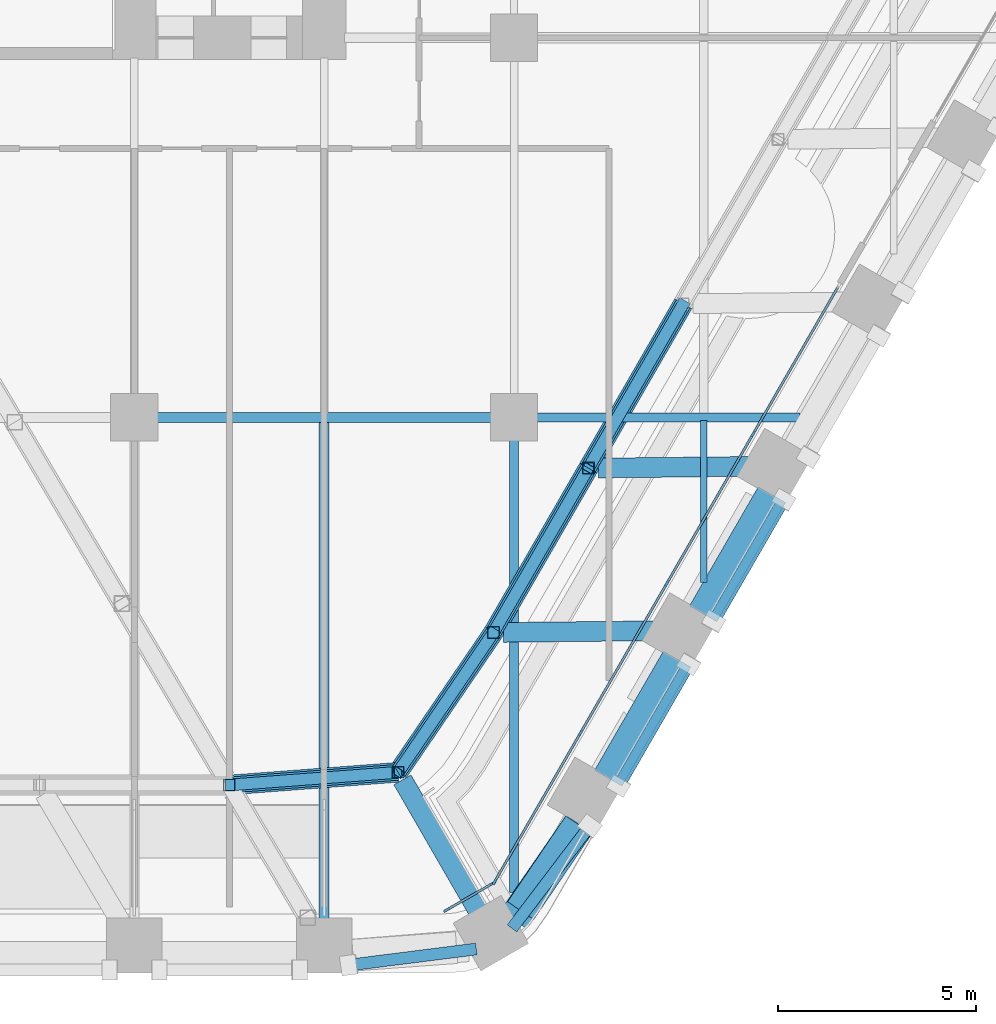
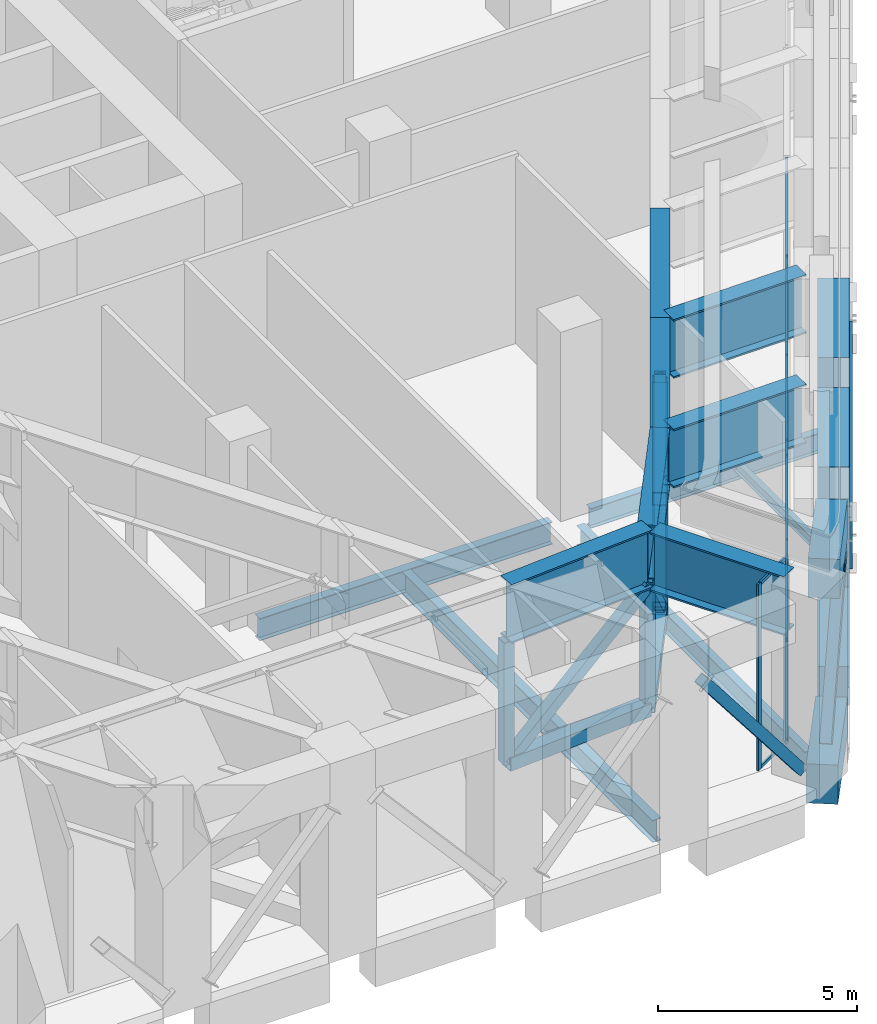
# One storey, part 5 of 35: 32 members, 18 beams, 2 elements without a shape of their own.
"""IFC4 building model written with IfcOpenShell, lengths in metres."""

from ifc_helpers import new_model, si_unit, direction, frame, origin, origin_2d, place, context, subcontext, project, spatial, rectangle, hollow_rectangle, i_section, extrude, material, material_profile, profile_set, type_object, element, aggregate, save


model = new_model("IFC4")

# Units and contexts
model_context = context("Model", 3, precision=1e-05, world=origin(), true_north=direction((0.0, 1.0)))
body_context = subcontext(model_context, "Body", "Model", "MODEL_VIEW")
ifc_project = project(units=[si_unit("LENGTHUNIT", "METRE"), si_unit("AREAUNIT", "SQUARE_METRE"), si_unit("VOLUMEUNIT", "CUBIC_METRE"), si_unit("PLANEANGLEUNIT", "RADIAN"), si_unit("MASSUNIT", "GRAM", prefix="KILO")], contexts=[model_context])

# Site, building, storey
site_placement = place(None, origin())
site = spatial("IfcSite", under=ifc_project, at=site_placement, CompositionType="ELEMENT")
building_placement = place(site_placement, origin())
building = spatial("IfcBuilding", under=site, at=building_placement, Name="Kolab Exchange Tower", CompositionType="ELEMENT")
storey_placement = place(building_placement, frame((0.0, 0.0, 71.89990234375)))
storey = spatial("IfcBuildingStorey", under=building, at=storey_placement, Name="L13", CompositionType="ELEMENT", Elevation=71.89990234375)

# Members
ifc_material_1 = material(Name="Steel S355", Category="steel")
ifc_material_profile_1 = material_profile(ifc_material_1, hollow_rectangle(XDim=0.300048828125, YDim=0.300048828125, WallThickness=0.01611328125, at=origin_2d()), Name="HSS300X300X16")
ifc_profile_set_1 = profile_set([ifc_material_profile_1], Name="Steel S355")
member_type_1 = type_object("IfcMemberType", Name="BELT TRUSS BRACE HSS300X300X16", PredefinedType="BRACE", material=ifc_profile_set_1)
member_1_placement = place(storey_placement, frame((23.48046875, -16.32763671875, 0.25), z_axis=(-0.394029831617, -0.682447964901, 0.615634036582), x_axis=(0.866015339567, -0.500017431331, 0.0)))
element("IfcMember", 1, at=member_1_placement, inside=storey, type_object=member_type_1, Name="mem/L13/ring/d-F3-05", PredefinedType="BRACE", context=body_context, shape_type="SweptSolid", body=[
    extrude(hollow_rectangle(XDim=0.300048828125, YDim=0.300048828125, WallThickness=0.01611328125, at=origin_2d()), origin(), (0.0, 0.0, 1.0), 6.09130859375),
])
member_2_placement = place(storey_placement, frame((21.080322265625, -20.484619140625, 4.0), z_axis=(-0.393995973328, -0.682458742407, -0.615643758934), x_axis=(0.866037363387, -0.499979284789, 0.0)))
element("IfcMember", 2, at=member_2_placement, inside=storey, type_object=member_type_1, Name="mem/L13/ring/d-F3-06", PredefinedType="BRACE", context=body_context, shape_type="SweptSolid", body=[
    extrude(hollow_rectangle(XDim=0.300048828125, YDim=0.300048828125, WallThickness=0.01611328125, at=origin_2d()), origin(), (0.0, 0.0, 1.0), 6.091064453125),
])
for number, where, z_axis, x_axis, name in (
    (3, (18.680419921875, -24.6416015625, 0.25), (-0.423966788791, -0.621277379932, 0.658989058473), (0.825999194724, -0.563671296338, 0.0), "mem/L13/ring/d-F3-07"),
    (4, (16.267822265625, -28.177001953125, 4.0), (-0.750009259501, -0.056504902166, -0.659009337334), (0.075126035074, -0.99717404642, 0.0), "mem/L13/ring/d-F4-01"),
):
    element("IfcMember", number, at=place(storey_placement, frame(where, z_axis=z_axis, x_axis=x_axis)), inside=storey, type_object=member_type_1, Name=name, PredefinedType="BRACE", context=body_context, shape_type="SweptSolid", body=[
        extrude(hollow_rectangle(XDim=0.300048828125, YDim=0.300048828125, WallThickness=0.01611328125, at=origin_2d()), origin(), (0.0, 0.0, 1.0), 5.6904296875),
    ])
for number, where, z_axis, x_axis, name in (
    (5, (26.017578125, -21.295654296875, 4.4501953125), (-0.328679977978, -0.569227384114, -0.753624347571), (0.866001427184, -0.500041526391, 0.0), "mem/L13/fb/F3-06"),
    (6, (23.617431640625, -25.45263671875, 0.400146484375), (-0.328639455646, -0.569235883224, 0.753635599904), (0.866031355668, -0.499989690894, 0.0), "mem/L13/fb/F3-07"),
):
    element("IfcMember", number, at=place(storey_placement, frame(where, z_axis=z_axis, x_axis=x_axis)), inside=storey, type_object=member_type_1, Name=name, PredefinedType="BRACE", context=body_context, shape_type="SweptSolid", body=[
        extrude(hollow_rectangle(XDim=0.300048828125, YDim=0.300048828125, WallThickness=0.01611328125, at=origin_2d()), origin(), (0.0, 0.0, 1.0), 5.3740234375),
    ])
for number, where, z_axis, x_axis, name in (
    (7, (21.110107421875, -29.5419921875, 4.4501953125), (-0.369353435325, -0.486393319457, -0.791833049703), (0.7964030968, -0.604766159278, 0.0), "mem/L13/fb/F3-08"),
    (8, (18.128173828125, -32.66064453125, 0.400146484375), (-0.605882230288, -0.076660116745, 0.791852227074), (0.125525655119, -0.992090373861, 0.0), "mem/L13/fb/F4-01"),
):
    element("IfcMember", number, at=place(storey_placement, frame(where, z_axis=z_axis, x_axis=x_axis)), inside=storey, type_object=member_type_1, Name=name, PredefinedType="BRACE", context=body_context, shape_type="SweptSolid", body=[
        extrude(hollow_rectangle(XDim=0.300048828125, YDim=0.300048828125, WallThickness=0.01611328125, at=origin_2d()), origin(), (0.0, 0.0, 1.0), 5.11474609375),
    ])
ifc_material_profile_2 = material_profile(ifc_material_1, hollow_rectangle(XDim=0.39990234375, YDim=0.39990234375, WallThickness=0.02001953125, at=origin_2d()), Name="HSS400X400X20")
ifc_profile_set_2 = profile_set([ifc_material_profile_2], Name="Steel S355")
member_type_2 = type_object("IfcMemberType", Name="BELT TRUSS CHORD HSS400X400X20", PredefinedType="CHORD", material=ifc_profile_set_2)
for number, where, z_axis, x_axis, name in (
    (9, (23.48046875, -16.32763671875, 0.25), (-0.500017431331, -0.866015339567, 0.0), (0.866015339567, -0.500017431331, 0.0), "mem/L13/ring/c-F3-05"),
    (10, (21.080322265625, -20.484619140625, 0.25), (-0.499979284789, -0.866037363387, 0.0), (0.866037363387, -0.499979284789, 0.0), "mem/L13/ring/c-F3-06"),
):
    element("IfcMember", number, at=place(storey_placement, frame(where, z_axis=z_axis, x_axis=x_axis)), inside=storey, type_object=member_type_2, Name=name, PredefinedType="CHORD", context=body_context, shape_type="SweptSolid", body=[
        extrude(hollow_rectangle(XDim=0.39990234375, YDim=0.39990234375, WallThickness=0.02001953125, at=origin_2d()), origin(), (0.0, 0.0, 1.0), 4.800048828125),
    ])
for number, where, z_axis, x_axis, name in (
    (11, (18.680419921875, -24.6416015625, 0.25), (-0.563671296338, -0.825999194724, 0.0), (0.825999194724, -0.563671296338, 0.0), "mem/L13/ring/c-F3-07"),
    (12, (16.267822265625, -28.177001953125, 0.25), (-0.99717404642, -0.075126035074, 0.0), (0.075126035074, -0.99717404642, 0.0), "mem/L13/ring/c-F4-01"),
):
    element("IfcMember", number, at=place(storey_placement, frame(where, z_axis=z_axis, x_axis=x_axis)), inside=storey, type_object=member_type_2, Name=name, PredefinedType="CHORD", context=body_context, shape_type="SweptSolid", body=[
        extrude(hollow_rectangle(XDim=0.39990234375, YDim=0.39990234375, WallThickness=0.02001953125, at=origin_2d()), origin(), (0.0, 0.0, 1.0), 4.280029296875),
    ])

# Beams
ifc_material_profile_3 = material_profile(ifc_material_1, i_section(OverallWidth=0.5, OverallDepth=1.800048828125, WebThickness=0.031982421875, FlangeThickness=0.050048828125, at=origin_2d()), Name="PG1800X500")
ifc_profile_set_3 = profile_set([ifc_material_profile_3], Name="Steel S355")
beam_type_1 = type_object("IfcBeamType", Name="BELT TRUSS GIRDER PG1800X500", PredefinedType="BEAM", material=ifc_profile_set_3)
for number, where, z_axis, x_axis, name in (
    (13, (23.48046875, -16.32763671875, 4.900146484375), (-0.500017431331, -0.866015339567, 0.0), (0.866015339567, -0.500017431331, 0.0), "beam/L13/bg/F3-run3"),
    (14, (21.080322265625, -20.484619140625, 4.900146484375), (-0.499979284789, -0.866037363387, 0.0), (0.866037363387, -0.499979284789, 0.0), "beam/L13/bg/F3-run4"),
):
    element("IfcBeam", number, at=place(storey_placement, frame(where, z_axis=z_axis, x_axis=x_axis)), inside=storey, type_object=beam_type_1, Name=name, PredefinedType="BEAM", context=body_context, shape_type="SweptSolid", body=[
        extrude(i_section(OverallWidth=0.5, OverallDepth=1.800048828125, WebThickness=0.031982421875, FlangeThickness=0.050048828125, at=origin_2d()), origin(), (0.0, 0.0, 1.0), 4.800048828125),
    ])
for number, where, z_axis, x_axis, name in (
    (15, (18.680419921875, -24.6416015625, 4.900146484375), (-0.563671296338, -0.825999194724, 0.0), (0.825999194724, -0.563671296338, 0.0), "beam/L13/bg/F3-out"),
    (16, (16.267822265625, -28.177001953125, 4.900146484375), (-0.99717404642, -0.075126035074, 0.0), (0.075126035074, -0.99717404642, 0.0), "beam/L13/bg/F4-in"),
):
    element("IfcBeam", number, at=place(storey_placement, frame(where, z_axis=z_axis, x_axis=x_axis)), inside=storey, type_object=beam_type_1, Name=name, PredefinedType="BEAM", context=body_context, shape_type="SweptSolid", body=[
        extrude(i_section(OverallWidth=0.5, OverallDepth=1.800048828125, WebThickness=0.031982421875, FlangeThickness=0.050048828125, at=origin_2d()), origin(), (0.0, 0.0, 1.0), 4.280029296875),
    ])

# Members
ifc_material_profile_4 = material_profile(ifc_material_1, hollow_rectangle(XDim=0.300048828125, YDim=0.300048828125, WallThickness=0.01611328125, at=origin_2d()), Name="HSS300X300X16")
ifc_profile_set_4 = profile_set([ifc_material_profile_4], Name="Steel S355")
member_type_3 = type_object("IfcMemberType", Name="BELT TRUSS POST HSS300X300X16", PredefinedType="POST", material=ifc_profile_set_4)
for number, where, z_axis, x_axis, name in (
    (17, (21.080322265625, -20.484619140625, 0.25), (0.0, 0.0, 1.0), (1.0, 0.0, 0.0), "mem/L13/ring/p-F3-06"),
    (18, (18.680419921875, -24.6416015625, 0.25), (0.0, 0.0, 1.0), (1.0, 0.0, 0.0), "mem/L13/ring/p-F3-07"),
    (19, (16.267822265625, -28.177001953125, 0.25), (0.0, 0.0, 1.0), (1.0, 0.0, 0.0), "mem/L13/ring/p-F4-01"),
    (20, (12.0, -28.49853515625, 0.25), (0.0, 0.0, 1.0), (1.0, 0.0, 0.0), "mem/L13/ring/p-F4-02"),
):
    element("IfcMember", number, at=place(storey_placement, frame(where, z_axis=z_axis, x_axis=x_axis)), inside=storey, type_object=member_type_3, Name=name, PredefinedType="POST", context=body_context, shape_type="SweptSolid", body=[
        extrude(hollow_rectangle(XDim=0.300048828125, YDim=0.300048828125, WallThickness=0.01611328125, at=origin_2d()), origin(), (0.0, 0.0, 1.0), 3.75),
    ])

# Beams
ifc_material_profile_5 = material_profile(ifc_material_1, i_section(OverallWidth=0.1650390625, OverallDepth=0.31005859375, WebThickness=0.005859375, FlangeThickness=0.009765625, at=origin_2d()), Name="W310X39")
ifc_profile_set_5 = profile_set([ifc_material_profile_5], Name="Steel S355")
beam_type_2 = type_object("IfcBeamType", Name="FLOOR BEAM W310X39", PredefinedType="BEAM", material=ifc_profile_set_5)
beam_1_placement = place(storey_placement, frame((24.0, -23.381591796875, -0.454833984375), z_axis=(0.0, 1.0, 0.0), x_axis=(-1.0, 0.0, 0.0)))
element("IfcBeam", 21, at=beam_1_placement, inside=storey, type_object=beam_type_2, Name="beam/L13/fr/052", PredefinedType="BEAM", context=body_context, shape_type="SweptSolid", body=[
    extrude(i_section(OverallWidth=0.1650390625, OverallDepth=0.31005859375, WebThickness=0.005859375, FlangeThickness=0.009765625, at=origin_2d()), origin(), (0.0, 0.0, 1.0), 4.107666015625),
])
ifc_material_profile_6 = material_profile(ifc_material_1, i_section(OverallWidth=0.22802734375, OverallDepth=0.60791015625, WebThickness=0.01123046875, FlangeThickness=0.017333984375, at=origin_2d()), Name="W610X113")
ifc_profile_set_6 = profile_set([ifc_material_profile_6], Name="Steel S355")
beam_type_3 = type_object("IfcBeamType", Name="FLOOR BEAM W610X113", PredefinedType="BEAM", material=ifc_profile_set_6)
beam_2_placement = place(storey_placement, frame((19.199951171875, -31.214599609375, -0.60400390625), z_axis=(0.0, 1.0, 0.0), x_axis=(-1.0, 0.0, 0.0)))
element("IfcBeam", 22, at=beam_2_placement, inside=storey, type_object=beam_type_3, Name="beam/L13/fr/046", PredefinedType="BEAM", context=body_context, shape_type="SweptSolid", body=[
    extrude(i_section(OverallWidth=0.22802734375, OverallDepth=0.60791015625, WebThickness=0.01123046875, FlangeThickness=0.017333984375, at=origin_2d()), origin(), (0.0, 0.0, 1.0), 11.45458984375),
])
ifc_material_profile_7 = material_profile(ifc_material_1, i_section(OverallWidth=0.25390625, OverallDepth=0.68408203125, WebThickness=0.012451171875, FlangeThickness=0.018798828125, at=origin_2d()), Name="W690X140")
ifc_profile_set_7 = profile_set([ifc_material_profile_7], Name="Steel S355")
beam_type_4 = type_object("IfcBeamType", Name="FLOOR BEAM W690X140", PredefinedType="BEAM", material=ifc_profile_set_7)
beam_3_placement = place(storey_placement, frame((14.39990234375, -31.8955078125, -0.641845703125), z_axis=(0.0, 1.0, 0.0), x_axis=(-1.0, 0.0, 0.0)))
element("IfcBeam", 23, at=beam_3_placement, inside=storey, type_object=beam_type_4, Name="beam/L13/fr/042", PredefinedType="BEAM", context=body_context, shape_type="SweptSolid", body=[
    extrude(i_section(OverallWidth=0.25390625, OverallDepth=0.68408203125, WebThickness=0.012451171875, FlangeThickness=0.018798828125, at=origin_2d()), origin(), (0.0, 0.0, 1.0), 12.6083984375),
])
ifc_material_profile_8 = material_profile(ifc_material_1, i_section(OverallWidth=0.22802734375, OverallDepth=0.60791015625, WebThickness=0.01123046875, FlangeThickness=0.017333984375, at=origin_2d()), Name="W610X113")
ifc_profile_set_8 = profile_set([ifc_material_profile_8], Name="Steel S355")
beam_type_5 = type_object("IfcBeamType", Name="FLOOR GIRDER W610X113", PredefinedType="BEAM", material=ifc_profile_set_8)
beam_4_placement = place(storey_placement, frame((19.760009765625, -19.199951171875, -0.60400390625), z_axis=(1.0, 0.0, 0.0), x_axis=(0.0, 1.0, 0.0)))
element("IfcBeam", 24, at=beam_4_placement, inside=storey, type_object=beam_type_5, Name="beam/L13/gd/020", PredefinedType="BEAM", context=body_context, shape_type="SweptSolid", body=[
    extrude(i_section(OverallWidth=0.22802734375, OverallDepth=0.60791015625, WebThickness=0.01123046875, FlangeThickness=0.017333984375, at=origin_2d()), origin(), (0.0, 0.0, 1.0), 6.671142578125),
])
ifc_material_profile_9 = material_profile(ifc_material_1, i_section(OverallWidth=0.25390625, OverallDepth=0.68408203125, WebThickness=0.012451171875, FlangeThickness=0.018798828125, at=origin_2d()), Name="W690X140")
ifc_profile_set_9 = profile_set([ifc_material_profile_9], Name="Steel S355")
beam_type_6 = type_object("IfcBeamType", Name="FLOOR GIRDER W690X140", PredefinedType="BEAM", material=ifc_profile_set_9)
beam_5_placement = place(storey_placement, frame((10.159912109375, -19.199951171875, -0.641845703125), z_axis=(1.0, 0.0, 0.0), x_axis=(0.0, 1.0, 0.0)))
element("IfcBeam", 25, at=beam_5_placement, inside=storey, type_object=beam_type_6, Name="beam/L13/gd/015", PredefinedType="BEAM", context=body_context, shape_type="SweptSolid", body=[
    extrude(i_section(OverallWidth=0.25390625, OverallDepth=0.68408203125, WebThickness=0.012451171875, FlangeThickness=0.018798828125, at=origin_2d()), origin(), (0.0, 0.0, 1.0), 8.47998046875),
])
ifc_material_2 = material(Name="Concrete C80/95", Category="concrete")
ifc_material_profile_10 = material_profile(ifc_material_2, rectangle(XDim=0.800048828125, YDim=1.199951171875, at=origin_2d()), Name="RC800X1200")
ifc_profile_set_10 = profile_set([ifc_material_profile_10], Name="Concrete C80/95")
beam_type_7 = type_object("IfcBeamType", Name="SPANDREL BEAM 800X1200 C80/95", PredefinedType="BEAM", material=ifc_profile_set_10)
beam_6_placement = place(storey_placement, frame((25.7236328125, -21.15625, -0.89990234375), z_axis=(-0.500009906705, -0.86601968407, 0.0), x_axis=(0.86601968407, -0.500009906705, 0.0)))
element("IfcBeam", 26, at=beam_6_placement, inside=storey, type_object=beam_type_7, Name="beam/L13/sp/F3-06", PredefinedType="BEAM", context=body_context, shape_type="SweptSolid", body=[
    extrude(rectangle(XDim=0.800048828125, YDim=1.199951171875, at=origin_2d()), origin(), (0.0, 0.0, 1.0), 3.47998046875),
])
beam_7_placement = place(storey_placement, frame((23.323486328125, -25.31298828125, -0.89990234375), z_axis=(-0.499979528911, -0.866037222451, 0.0), x_axis=(0.866037222451, -0.499979528911, 0.0)))
element("IfcBeam", 27, at=beam_7_placement, inside=storey, type_object=beam_type_7, Name="beam/L13/sp/F3-07", PredefinedType="BEAM", context=body_context, shape_type="SweptSolid", body=[
    extrude(rectangle(XDim=0.800048828125, YDim=1.199951171875, at=origin_2d()), origin(), (0.0, 0.0, 1.0), 3.480224609375),
])
beam_8_placement = place(storey_placement, frame((20.8779296875, -29.44384765625, -0.89990234375), z_axis=(-0.567247290755, -0.823547516013, 0.0), x_axis=(0.823547516013, -0.567247290755, 0.0)))
element("IfcBeam", 28, at=beam_8_placement, inside=storey, type_object=beam_type_7, Name="beam/L13/sp/F3-08", PredefinedType="BEAM", context=body_context, shape_type="SweptSolid", body=[
    extrude(rectangle(XDim=0.800048828125, YDim=1.199951171875, at=origin_2d()), origin(), (0.0, 0.0, 1.0), 2.984375),
])
beam_9_placement = place(storey_placement, frame((25.7236328125, -21.15625, 5.2001953125), z_axis=(-0.500009906705, -0.86601968407, 0.0), x_axis=(0.86601968407, -0.500009906705, 0.0)))
element("IfcBeam", 29, at=beam_9_placement, inside=storey, type_object=beam_type_7, Name="beam/L13/cp/F3-06", PredefinedType="BEAM", context=body_context, shape_type="SweptSolid", body=[
    extrude(rectangle(XDim=0.800048828125, YDim=1.199951171875, at=origin_2d()), origin(), (0.0, 0.0, 1.0), 3.47998046875),
])
beam_10_placement = place(storey_placement, frame((23.323486328125, -25.31298828125, 5.2001953125), z_axis=(-0.499979528911, -0.866037222451, 0.0), x_axis=(0.866037222451, -0.499979528911, 0.0)))
element("IfcBeam", 30, at=beam_10_placement, inside=storey, type_object=beam_type_7, Name="beam/L13/cp/F3-07", PredefinedType="BEAM", context=body_context, shape_type="SweptSolid", body=[
    extrude(rectangle(XDim=0.800048828125, YDim=1.199951171875, at=origin_2d()), origin(), (0.0, 0.0, 1.0), 3.480224609375),
])
beam_11_placement = place(storey_placement, frame((20.843505859375, -29.503662109375, 5.2001953125), z_axis=(-0.561762947401, -0.827298247869, 0.0), x_axis=(0.827298247869, -0.561762947401, 0.0)))
element("IfcBeam", 31, at=beam_11_placement, inside=storey, type_object=beam_type_7, Name="beam/L13/cp/F3-08", PredefinedType="BEAM", context=body_context, shape_type="SweptSolid", body=[
    extrude(rectangle(XDim=0.800048828125, YDim=1.199951171875, at=origin_2d()), origin(), (0.0, 0.0, 1.0), 2.625),
])
ifc_material_profile_11 = material_profile(ifc_material_1, i_section(OverallWidth=0.5, OverallDepth=1.800048828125, WebThickness=0.031982421875, FlangeThickness=0.050048828125, at=origin_2d()), Name="PG1800X500")
ifc_profile_set_11 = profile_set([ifc_material_profile_11], Name="Steel S355")
beam_type_8 = type_object("IfcBeamType", Name="TRANSFER GIRDER PG1800X500", PredefinedType="BEAM", material=ifc_profile_set_11)
beam_12_placement = place(storey_placement, frame((21.330322265625, -20.48193359375, 4.900146484375), z_axis=(0.99994394464, 0.010588086644, 0.0), x_axis=(-0.010588086644, 0.99994394464, 0.0)))
element("IfcBeam", 32, at=beam_12_placement, inside=storey, type_object=beam_type_8, Name="beam/L13/tg/F3-06", PredefinedType="BEAM", context=body_context, shape_type="SweptSolid", body=[
    extrude(i_section(OverallWidth=0.5, OverallDepth=1.800048828125, WebThickness=0.031982421875, FlangeThickness=0.050048828125, at=origin_2d()), origin(), (0.0, 0.0, 1.0), 3.873779296875),
])
beam_13_placement = place(storey_placement, frame((18.930419921875, -24.638916015625, 4.900146484375), z_axis=(0.999943937573, 0.010588753956, 0.0), x_axis=(-0.010588753956, 0.999943937573, 0.0)))
element("IfcBeam", 33, at=beam_13_placement, inside=storey, type_object=beam_type_8, Name="beam/L13/tg/F3-07", PredefinedType="BEAM", context=body_context, shape_type="SweptSolid", body=[
    extrude(i_section(OverallWidth=0.5, OverallDepth=1.800048828125, WebThickness=0.031982421875, FlangeThickness=0.050048828125, at=origin_2d()), origin(), (0.0, 0.0, 1.0), 3.87353515625),
])
beam_14_placement = place(storey_placement, frame((16.3779296875, -28.367431640625, 4.900146484375), z_axis=(0.500006760876, -0.866021500355, 0.0), x_axis=(0.866021500355, 0.500006760876, 0.0)))
element("IfcBeam", 34, at=beam_14_placement, inside=storey, type_object=beam_type_8, Name="beam/L13/tg/F4-01", PredefinedType="BEAM", context=body_context, shape_type="SweptSolid", body=[
    extrude(i_section(OverallWidth=0.5, OverallDepth=1.800048828125, WebThickness=0.031982421875, FlangeThickness=0.050048828125, at=origin_2d()), origin(), (0.0, 0.0, 1.0), 3.89013671875),
])

# Curtain wall, members
ifc_material_3 = material(Name="Aluminium EN AW-6063 T6", Category="aluminium")
curtain_wall_type = type_object("IfcCurtainWallType", Name="UNITISED LOW ZONE BELT CURTAIN WALL", PredefinedType="NOTDEFINED", material=ifc_material_3)
curtain_wall_1_placement = place(storey_placement, origin())
curtain_wall_1 = element("IfcCurtainWall", 35, at=curtain_wall_1_placement, inside=storey, type_object=curtain_wall_type, Name="cw/L13/F3-2", PredefinedType="NOTDEFINED")
ifc_material_profile_12 = material_profile(ifc_material_3, rectangle(XDim=0.06005859375, YDim=0.159912109375, at=origin_2d()), Name="RECT 60X160")
ifc_profile_set_12 = profile_set([ifc_material_profile_12], Name="Aluminium EN AW-6063 T6")
member_type_4 = type_object("IfcMemberType", Name="UNITISED LOW ZONE BELT MULLION 60 X 160", PredefinedType="MULLION", material=ifc_profile_set_12)
member_3_placement = place(storey_placement, frame((25.248291015625, -19.61962890625, 0.0), z_axis=(0.0, 0.0, 1.0), x_axis=(0.866025397318, -0.5000000112, 0.0)))
member_3 = element("IfcMember", 36, at=member_3_placement, type_object=member_type_4, Name="CW9 mullion 2", PredefinedType="MULLION", context=body_context, shape_type="SweptSolid", body=[
    extrude(rectangle(XDim=0.06005859375, YDim=0.159912109375, at=origin_2d()), origin(), (0.0, 0.0, 1.0), 5.7001953125),
])
member_4_placement = place(storey_placement, frame((23.064697265625, -23.401611328125, 0.0), z_axis=(0.0, 0.0, 1.0), x_axis=(0.866025397318, -0.5000000112, 0.0)))
member_4 = element("IfcMember", 37, at=member_4_placement, type_object=member_type_4, Name="CW9 mullion 3", PredefinedType="MULLION", context=body_context, shape_type="SweptSolid", body=[
    extrude(rectangle(XDim=0.06005859375, YDim=0.159912109375, at=origin_2d()), origin(), (0.0, 0.0, 1.0), 5.7001953125),
])
member_5_placement = place(storey_placement, frame((20.881103515625, -27.183349609375, 0.0), z_axis=(0.0, 0.0, 1.0), x_axis=(0.866025397318, -0.5000000112, 0.0)))
member_5 = element("IfcMember", 38, at=member_5_placement, type_object=member_type_4, Name="CW9 mullion 4", PredefinedType="MULLION", context=body_context, shape_type="SweptSolid", body=[
    extrude(rectangle(XDim=0.06005859375, YDim=0.159912109375, at=origin_2d()), origin(), (0.0, 0.0, 1.0), 5.7001953125),
])
member_6_placement = place(storey_placement, frame((18.712646484375, -30.939453125, 0.0), z_axis=(0.0, 0.0, 1.0), x_axis=(0.866025397318, -0.5000000112, 0.0)))
member_6 = element("IfcMember", 39, at=member_6_placement, type_object=member_type_4, Name="CW9 mullion 5", PredefinedType="MULLION", context=body_context, shape_type="SweptSolid", body=[
    extrude(rectangle(XDim=0.06005859375, YDim=0.159912109375, at=origin_2d()), origin(), (0.0, 0.0, 1.0), 5.7001953125),
])

curtain_wall_2_placement = place(storey_placement, origin())
curtain_wall_2 = element("IfcCurtainWall", 40, at=curtain_wall_2_placement, inside=storey, type_object=curtain_wall_type, Name="cw/L13/F3F4-corner", PredefinedType="NOTDEFINED")
member_7_placement = place(storey_placement, frame((18.671630859375, -30.98046875, 0.0), z_axis=(0.0, 0.0, 1.0), x_axis=(0.50000002237, -0.866025390869, 0.0)))
member_7 = element("IfcMember", 41, at=member_7_placement, type_object=member_type_4, Name="CW9 mullion 1", PredefinedType="MULLION", context=body_context, shape_type="SweptSolid", body=[
    extrude(rectangle(XDim=0.06005859375, YDim=0.159912109375, at=origin_2d()), origin(), (0.0, 0.0, 1.0), 5.7001953125),
])
member_8_placement = place(storey_placement, frame((17.493896484375, -31.660400390625, 0.0), z_axis=(0.0, 0.0, 1.0), x_axis=(0.50000002237, -0.866025390869, 0.0)))
member_8 = element("IfcMember", 42, at=member_8_placement, type_object=member_type_4, Name="CW9 mullion 2", PredefinedType="MULLION", context=body_context, shape_type="SweptSolid", body=[
    extrude(rectangle(XDim=0.06005859375, YDim=0.159912109375, at=origin_2d()), origin(), (0.0, 0.0, 1.0), 5.7001953125),
])

# Member
ifc_material_profile_13 = material_profile(ifc_material_3, rectangle(XDim=0.06005859375, YDim=0.10009765625, at=origin_2d()), Name="RECT 60X100")
ifc_profile_set_13 = profile_set([ifc_material_profile_13], Name="Aluminium EN AW-6063 T6")
member_type_5 = type_object("IfcMemberType", Name="UNITISED LOW ZONE BELT TRANSOM 60 X 100", PredefinedType="USERDEFINED", material=ifc_profile_set_13)
member_9_placement = place(storey_placement, frame((27.401611328125, -15.8896484375, 0.030029296875), z_axis=(-0.499976099074, -0.866039202551, 0.0), x_axis=(0.866039202551, -0.499976099074, 0.0)))
member_9 = element("IfcMember", 43, at=member_9_placement, type_object=member_type_5, Name="CW9 transom 1.1", ObjectType="TRANSOM", PredefinedType="USERDEFINED", context=body_context, shape_type="SweptSolid", body=[
    extrude(rectangle(XDim=0.06005859375, YDim=0.10009765625, at=origin_2d()), origin(), (0.0, 0.0, 1.0), 4.277099609375),
])

member_10_placement = place(storey_placement, frame((27.401611328125, -15.8896484375, 5.670166015625), z_axis=(-0.499976099074, -0.866039202551, 0.0), x_axis=(0.866039202551, -0.499976099074, 0.0)))
member_10 = element("IfcMember", 44, at=member_10_placement, type_object=member_type_5, Name="CW9 transom 1.2", ObjectType="TRANSOM", PredefinedType="USERDEFINED", context=body_context, shape_type="SweptSolid", body=[
    extrude(rectangle(XDim=0.06005859375, YDim=0.10009765625, at=origin_2d()), origin(), (0.0, 0.0, 1.0), 4.277099609375),
])

member_11_placement = place(storey_placement, frame((25.233154296875, -19.6455078125, 0.030029296875), z_axis=(-0.500010313095, -0.866019449435, 0.0), x_axis=(0.866019449435, -0.500010313095, 0.0)))
member_11 = element("IfcMember", 45, at=member_11_placement, type_object=member_type_5, Name="CW9 transom 2.1", ObjectType="TRANSOM", PredefinedType="USERDEFINED", context=body_context, shape_type="SweptSolid", body=[
    extrude(rectangle(XDim=0.06005859375, YDim=0.10009765625, at=origin_2d()), origin(), (0.0, 0.0, 1.0), 4.30712890625),
])

member_12_placement = place(storey_placement, frame((25.233154296875, -19.6455078125, 5.670166015625), z_axis=(-0.500010313095, -0.866019449435, 0.0), x_axis=(0.866019449435, -0.500010313095, 0.0)))
member_12 = element("IfcMember", 46, at=member_12_placement, type_object=member_type_5, Name="CW9 transom 2.2", ObjectType="TRANSOM", PredefinedType="USERDEFINED", context=body_context, shape_type="SweptSolid", body=[
    extrude(rectangle(XDim=0.06005859375, YDim=0.10009765625, at=origin_2d()), origin(), (0.0, 0.0, 1.0), 4.30712890625),
])

member_13_placement = place(storey_placement, frame((23.0498046875, -23.427490234375, 0.030029296875), z_axis=(-0.500010313095, -0.866019449435, 0.0), x_axis=(0.866019449435, -0.500010313095, 0.0)))
member_13 = element("IfcMember", 47, at=member_13_placement, type_object=member_type_5, Name="CW9 transom 3.1", ObjectType="TRANSOM", PredefinedType="USERDEFINED", context=body_context, shape_type="SweptSolid", body=[
    extrude(rectangle(XDim=0.06005859375, YDim=0.10009765625, at=origin_2d()), origin(), (0.0, 0.0, 1.0), 4.30712890625),
])

member_14_placement = place(storey_placement, frame((23.0498046875, -23.427490234375, 5.670166015625), z_axis=(-0.500010313095, -0.866019449435, 0.0), x_axis=(0.866019449435, -0.500010313095, 0.0)))
member_14 = element("IfcMember", 48, at=member_14_placement, type_object=member_type_5, Name="CW9 transom 3.2", ObjectType="TRANSOM", PredefinedType="USERDEFINED", context=body_context, shape_type="SweptSolid", body=[
    extrude(rectangle(XDim=0.06005859375, YDim=0.10009765625, at=origin_2d()), origin(), (0.0, 0.0, 1.0), 4.30712890625),
])

member_15_placement = place(storey_placement, frame((20.8662109375, -27.20947265625, 0.030029296875), z_axis=(-0.500000816281, -0.866024932504, 0.0), x_axis=(0.866024932504, -0.500000816281, 0.0)))
member_15 = element("IfcMember", 49, at=member_15_placement, type_object=member_type_5, Name="CW9 transom 4.1", ObjectType="TRANSOM", PredefinedType="USERDEFINED", context=body_context, shape_type="SweptSolid", body=[
    extrude(rectangle(XDim=0.06005859375, YDim=0.10009765625, at=origin_2d()), origin(), (0.0, 0.0, 1.0), 4.27685546875),
])

member_16_placement = place(storey_placement, frame((20.8662109375, -27.20947265625, 5.670166015625), z_axis=(-0.500000816281, -0.866024932504, 0.0), x_axis=(0.866024932504, -0.500000816281, 0.0)))
member_16 = element("IfcMember", 50, at=member_16_placement, type_object=member_type_5, Name="CW9 transom 4.2", ObjectType="TRANSOM", PredefinedType="USERDEFINED", context=body_context, shape_type="SweptSolid", body=[
    extrude(rectangle(XDim=0.06005859375, YDim=0.10009765625, at=origin_2d()), origin(), (0.0, 0.0, 1.0), 4.27685546875),
])

aggregate(curtain_wall_1, [member_3, member_4, member_5, member_6, member_9, member_10, member_11, member_12, member_13, member_14, member_15, member_16])

member_17_placement = place(storey_placement, frame((18.645751953125, -30.995361328125, 0.030029296875), z_axis=(-0.86603858612, -0.49997716683, 0.0), x_axis=(0.49997716683, -0.86603858612, 0.0)))
member_17 = element("IfcMember", 51, at=member_17_placement, type_object=member_type_5, Name="CW9 transom 1.1", ObjectType="TRANSOM", PredefinedType="USERDEFINED", context=body_context, shape_type="SweptSolid", body=[
    extrude(rectangle(XDim=0.06005859375, YDim=0.10009765625, at=origin_2d()), origin(), (0.0, 0.0, 1.0), 1.2998046875),
])

member_18_placement = place(storey_placement, frame((18.645751953125, -30.995361328125, 5.670166015625), z_axis=(-0.86603858612, -0.49997716683, 0.0), x_axis=(0.49997716683, -0.86603858612, 0.0)))
member_18 = element("IfcMember", 52, at=member_18_placement, type_object=member_type_5, Name="CW9 transom 1.2", ObjectType="TRANSOM", PredefinedType="USERDEFINED", context=body_context, shape_type="SweptSolid", body=[
    extrude(rectangle(XDim=0.06005859375, YDim=0.10009765625, at=origin_2d()), origin(), (0.0, 0.0, 1.0), 1.2998046875),
])

aggregate(curtain_wall_2, [member_7, member_8, member_17, member_18])

save(model, "model.ifc")
